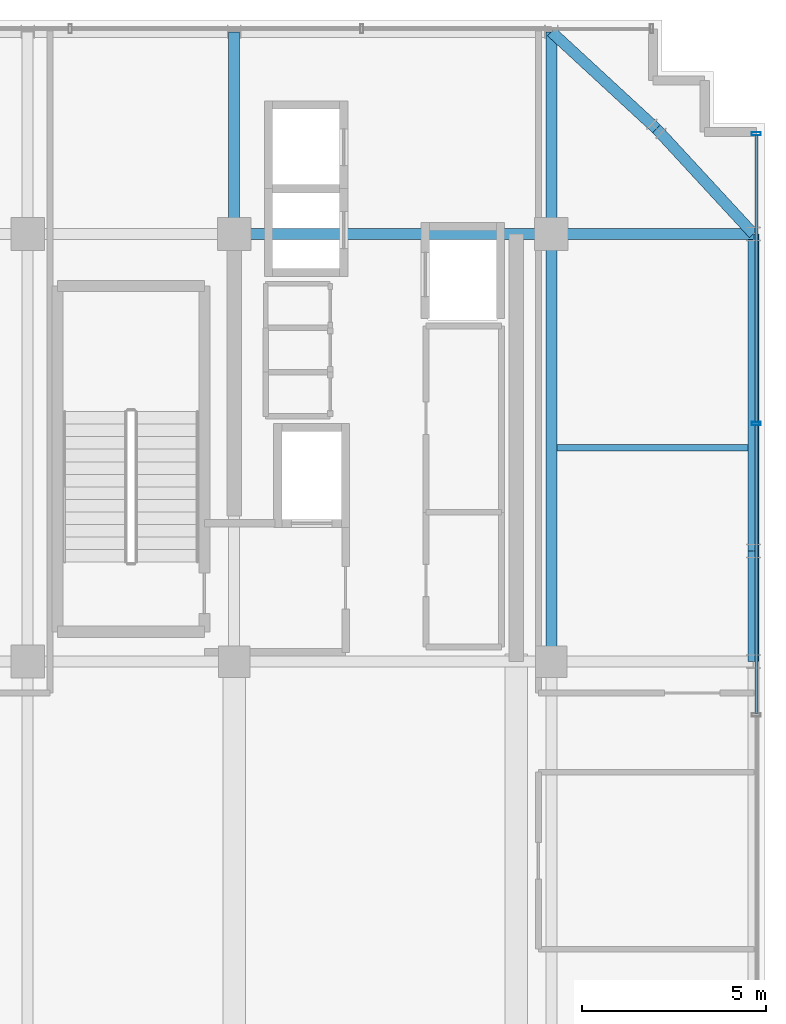
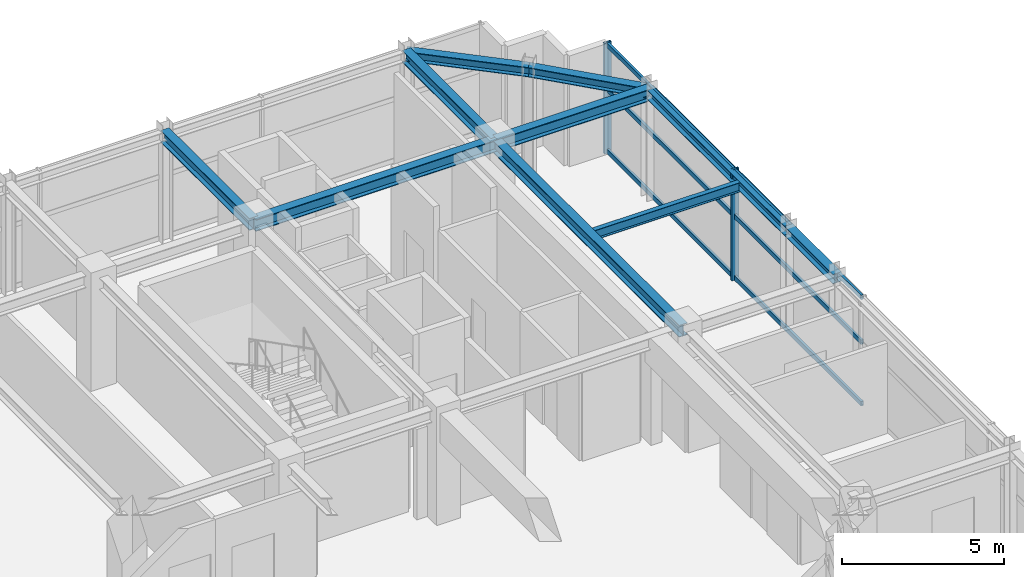
# One storey, part 16 of 25: 10 beams, 8 members, 1 element without a shape of its own.
"""IFC4 building model written with IfcOpenShell, lengths in metres."""

from ifc_helpers import new_model, si_unit, direction, frame, origin, origin_2d, place, context, subcontext, project, spatial, hollow_rectangle, i_section, extrude, source, transform, mapped, material, material_profile, profile_set, type_object, element, aggregate, save


model = new_model("IFC4")

# Units and contexts
model_context = context("Model", 3, precision=1e-05, world=origin(), true_north=direction((0.0, 1.0)))
body_context = subcontext(model_context, "Body", "Model", "MODEL_VIEW")
ifc_project = project(units=[si_unit("LENGTHUNIT", "METRE"), si_unit("AREAUNIT", "SQUARE_METRE"), si_unit("VOLUMEUNIT", "CUBIC_METRE"), si_unit("PLANEANGLEUNIT", "RADIAN"), si_unit("MASSUNIT", "GRAM", prefix="KILO")], contexts=[model_context])

# Site, building, storey
site_placement = place(None, origin())
site = spatial("IfcSite", under=ifc_project, at=site_placement, CompositionType="ELEMENT")
building_placement = place(site_placement, origin())
building = spatial("IfcBuilding", under=site, at=building_placement, Name="Nahalor Promenade Grand Hotel", CompositionType="ELEMENT")
storey_placement = place(building_placement, frame((0.0, 0.0, 338.550048828125)))
storey = spatial("IfcBuildingStorey", under=building, at=storey_placement, Name="L87", CompositionType="ELEMENT", Elevation=338.550048828125)

# Beams
ifc_material_1 = material(Name="Steel S355JR", Category="steel")
ifc_material_profile_1 = material_profile(ifc_material_1, i_section(OverallWidth=0.3, OverallDepth=0.45, WebThickness=0.014, FlangeThickness=0.026, at=origin_2d()), Name="HEB 450")
ifc_profile_set_1 = profile_set([ifc_material_profile_1], Name="Steel S355JR")
beam_type_1 = type_object("IfcBeamType", Name="Beam-Girder-HEB450", PredefinedType="BEAM", material=ifc_profile_set_1)
shared_shape_1 = source(origin(), body_context, "Body", "SweptSolid", [
    extrude(i_section(OverallWidth=0.3, OverallDepth=0.45, WebThickness=0.014, FlangeThickness=0.026, at=origin_2d()), origin(), (0.0, 0.0, 1.0), 8.60009765625),
])
beam_1_placement = place(storey_placement, frame((8.39990234375, 17.0, 3.945068359375), z_axis=(1.0, 0.0, 0.0), x_axis=(0.0, 1.0, 0.0)))
element("IfcBeam", 1, at=beam_1_placement, inside=storey, type_object=beam_type_1, Name="BM-L87-GX-3-5", PredefinedType="BEAM", context=body_context, shape_type="MappedRepresentation", body=[
    mapped(shared_shape_1, transform((0.0, 0.0, 0.0), scale=1.0)),
])
shared_shape_2 = source(origin(), body_context, "Body", "SweptSolid", [
    extrude(i_section(OverallWidth=0.3, OverallDepth=0.45, WebThickness=0.014, FlangeThickness=0.026, at=origin_2d()), origin(), (0.0, 0.0, 1.0), 11.60009765625),
])
beam_2_placement = place(storey_placement, frame((17.0, 5.39990234375, 3.945068359375), z_axis=(0.0, 1.0, 0.0), x_axis=(-1.0, 0.0, 0.0)))
element("IfcBeam", 2, at=beam_2_placement, inside=storey, type_object=beam_type_1, Name="BM-L87-GY-5-3", PredefinedType="BEAM", context=body_context, shape_type="MappedRepresentation", body=[
    mapped(shared_shape_2, transform((0.0, 0.0, 0.0), scale=1.0)),
])
shared_shape_3 = source(origin(), body_context, "Body", "SweptSolid", [
    extrude(i_section(OverallWidth=0.3, OverallDepth=0.45, WebThickness=0.014, FlangeThickness=0.026, at=origin_2d()), origin(), (0.0, 0.0, 1.0), 5.47998046875),
])
for number, where, z_axis, x_axis, name in (
    (3, (17.0, 17.0, 3.945068359375), (1.0, 0.0, 0.0), (0.0, 1.0, 0.0), "BM-L87-GX-3-6"),
    (4, (8.39990234375, 17.0, 3.945068359375), (0.0, 1.0, 0.0), (-1.0, 0.0, 0.0), "BM-L87-GY-4-4"),
    (5, (17.0, 17.0, 3.945068359375), (0.0, 1.0, 0.0), (-1.0, 0.0, 0.0), "BM-L87-GY-5-4"),
):
    element("IfcBeam", number, at=place(storey_placement, frame(where, z_axis=z_axis, x_axis=x_axis)), inside=storey, type_object=beam_type_1, Name=name, PredefinedType="BEAM", context=body_context, shape_type="MappedRepresentation", body=[
        mapped(shared_shape_3, transform((0.0, 0.0, 0.0), scale=1.0)),
    ])
ifc_material_profile_2 = material_profile(ifc_material_1, i_section(OverallWidth=0.3, OverallDepth=0.36, WebThickness=0.0125, FlangeThickness=0.0225, at=origin_2d()), Name="HEB 360")
ifc_profile_set_2 = profile_set([ifc_material_profile_2], Name="Steel S355JR")
beam_type_2 = type_object("IfcBeamType", Name="Beam-Spandrel-HEB360", PredefinedType="SPANDREL", material=ifc_profile_set_2)
shared_shape_4 = source(origin(), body_context, "Body", "SweptSolid", [
    extrude(i_section(OverallWidth=0.3, OverallDepth=0.36, WebThickness=0.0125, FlangeThickness=0.0225, at=origin_2d()), origin(), (0.0, 0.0, 1.0), 8.60009765625),
])
beam_3_placement = place(storey_placement, frame((22.47998046875, 8.39990234375, 3.989990234375), z_axis=(0.0, 1.0, 0.0), x_axis=(-1.0, 0.0, 0.0)))
element("IfcBeam", 6, at=beam_3_placement, inside=storey, type_object=beam_type_2, Name="BM-L87-SP-E-4", PredefinedType="SPANDREL", context=body_context, shape_type="MappedRepresentation", body=[
    mapped(shared_shape_4, transform((0.0, 0.0, 0.0), scale=1.0)),
])
shared_shape_5 = source(origin(), body_context, "Body", "SweptSolid", [
    extrude(i_section(OverallWidth=0.3, OverallDepth=0.36, WebThickness=0.0125, FlangeThickness=0.0225, at=origin_2d()), origin(), (0.0, 0.0, 1.0), 3.0),
])
beam_4_placement = place(storey_placement, frame((22.47998046875, 5.39990234375, 3.989990234375), z_axis=(0.0, 1.0, 0.0), x_axis=(-1.0, 0.0, 0.0)))
element("IfcBeam", 7, at=beam_4_placement, inside=storey, type_object=beam_type_2, Name="BM-L87-SP-E-3", PredefinedType="SPANDREL", context=body_context, shape_type="MappedRepresentation", body=[
    mapped(shared_shape_5, transform((0.0, 0.0, 0.0), scale=1.0)),
])
shared_shape_6 = source(origin(), body_context, "Body", "SweptSolid", [
    extrude(i_section(OverallWidth=0.3, OverallDepth=0.36, WebThickness=0.0125, FlangeThickness=0.0225, at=origin_2d()), origin(), (0.0, 0.0, 1.0), 3.878173828125),
])
for number, where, z_axis, x_axis, name in (
    (8, (17.0, 22.47998046875, 3.989990234375), (0.73492893846, -0.678144125843, 0.0), (0.678144125843, 0.73492893846, 0.0), "BM-L87-SPC-NE-1"),
    (9, (19.85009765625, 19.85009765625, 3.989990234375), (0.678144125843, -0.73492893846, 0.0), (0.73492893846, 0.678144125843, 0.0), "BM-L87-SPC-NE-2"),
):
    element("IfcBeam", number, at=place(storey_placement, frame(where, z_axis=z_axis, x_axis=x_axis)), inside=storey, type_object=beam_type_2, Name=name, PredefinedType="SPANDREL", context=body_context, shape_type="MappedRepresentation", body=[
        mapped(shared_shape_6, transform((0.0, 0.0, 0.0), scale=1.0)),
    ])
ifc_material_profile_3 = material_profile(ifc_material_1, i_section(OverallWidth=0.17, OverallDepth=0.36, WebThickness=0.008, FlangeThickness=0.0127, at=origin_2d()), Name="IPE 360")
ifc_profile_set_3 = profile_set([ifc_material_profile_3], Name="Steel S355JR")
beam_type_3 = type_object("IfcBeamType", Name="Beam-Joist-IPE360", PredefinedType="JOIST", material=ifc_profile_set_3)
shared_shape_7 = source(origin(), body_context, "Body", "SweptSolid", [
    extrude(i_section(OverallWidth=0.17, OverallDepth=0.36, WebThickness=0.008, FlangeThickness=0.0127, at=origin_2d()), origin(), (0.0, 0.0, 1.0), 5.18017578125),
])
beam_5_placement = place(storey_placement, frame((17.14990234375, 11.199951171875, 3.989990234375), z_axis=(1.0, 0.0, 0.0), x_axis=(0.0, 1.0, 0.0)))
element("IfcBeam", 10, at=beam_5_placement, inside=storey, type_object=beam_type_3, Name="BM-L87-JSE-1-2", PredefinedType="JOIST", context=body_context, shape_type="MappedRepresentation", body=[
    mapped(shared_shape_7, transform((0.0, 0.0, 0.0), scale=1.0)),
])

# Curtain wall, members
ifc_material_2 = material(Name="Anodised Bronze Aluminium EN AW-6063 T6", Category="aluminium")
curtain_wall_type = type_object("IfcCurtainWallType", Name="CW5 Sky-Lobby & Observation Panoramic Curtain Wall", PredefinedType="USERDEFINED", material=ifc_material_2)
curtain_wall_placement = place(storey_placement, origin())
curtain_wall = element("IfcCurtainWall", 11, at=curtain_wall_placement, inside=storey, type_object=curtain_wall_type, Name="L87 Curtain Wall CW-L87-E-1", ObjectType="UNITISED_CURTAIN_WALL", PredefinedType="USERDEFINED")
ifc_material_profile_4 = material_profile(ifc_material_2, hollow_rectangle(XDim=0.085, YDim=0.25, WallThickness=0.006, at=origin_2d()), Name="CWM 85x250x6")
ifc_profile_set_4 = profile_set([ifc_material_profile_4], Name="Anodised Bronze Aluminium EN AW-6063 T6")
member_type_1 = type_object("IfcMemberType", Name="CWM5 Panoramic Deep Mullion 85x250", PredefinedType="MULLION", material=ifc_profile_set_4)
shared_shape_8 = source(origin(), body_context, "Body", "SweptSolid", [
    extrude(hollow_rectangle(XDim=0.085, YDim=0.25, WallThickness=0.006, at=origin_2d()), origin(), (0.0, 0.0, 1.0), 4.169921875),
])
member_1_placement = place(storey_placement, frame((22.56005859375, 11.85595703125, 0.0), z_axis=(0.0, 0.0, 1.0), x_axis=(0.0, 1.0, 0.0)))
member_1 = element("IfcMember", 12, at=member_1_placement, type_object=member_type_1, Name="CW-L87-E-1 Mullion 4", PredefinedType="MULLION", context=body_context, shape_type="MappedRepresentation", body=[
    mapped(shared_shape_8, transform((0.0, 0.0, 0.0), scale=1.0)),
])
member_2_placement = place(storey_placement, frame((22.56005859375, 19.717529296875, 0.0), z_axis=(0.0, 0.0, 1.0), x_axis=(0.0, 1.0, 0.0)))
member_2 = element("IfcMember", 13, at=member_2_placement, type_object=member_type_1, Name="CW-L87-E-1 Mullion 5", PredefinedType="MULLION", context=body_context, shape_type="MappedRepresentation", body=[
    mapped(shared_shape_8, transform((0.0, 0.0, 0.0), scale=1.0)),
])
ifc_material_profile_5 = material_profile(ifc_material_2, hollow_rectangle(XDim=0.085, YDim=0.17, WallThickness=0.005, at=origin_2d()), Name="CWT 85x170x5")
ifc_profile_set_5 = profile_set([ifc_material_profile_5], Name="Anodised Bronze Aluminium EN AW-6063 T6")
member_type_2 = type_object("IfcMemberType", Name="CWT5 Panoramic Transom 85x170", PredefinedType="USERDEFINED", material=ifc_profile_set_5)
shared_shape_9 = source(origin(), body_context, "Body", "SweptSolid", [
    extrude(hollow_rectangle(XDim=0.085, YDim=0.17, WallThickness=0.005, at=origin_2d()), origin(), (0.0, 0.0, 1.0), 7.776611328125),
])
member_3_placement = place(storey_placement, frame((22.56005859375, 11.8984375, 0.0849609375), z_axis=(0.0, 1.0, 0.0), x_axis=(-1.0, 0.0, 0.0)))
member_3 = element("IfcMember", 14, at=member_3_placement, type_object=member_type_2, Name="CW-L87-E-1 Transom 4-0", ObjectType="TRANSOM", PredefinedType="USERDEFINED", context=body_context, shape_type="MappedRepresentation", body=[
    mapped(shared_shape_9, transform((0.0, 0.0, 0.0), scale=1.0)),
])
member_4_placement = place(storey_placement, frame((22.56005859375, 11.8984375, 2.39990234375), z_axis=(0.0, 1.0, 0.0), x_axis=(-1.0, 0.0, 0.0)))
member_4 = element("IfcMember", 15, at=member_4_placement, type_object=member_type_2, Name="CW-L87-E-1 Transom 4-1", ObjectType="TRANSOM", PredefinedType="USERDEFINED", context=body_context, shape_type="MappedRepresentation", body=[
    mapped(shared_shape_9, transform((0.0, 0.0, 0.0), scale=1.0)),
])
member_5_placement = place(storey_placement, frame((22.56005859375, 11.8984375, 4.0849609375), z_axis=(0.0, 1.0, 0.0), x_axis=(-1.0, 0.0, 0.0)))
member_5 = element("IfcMember", 16, at=member_5_placement, type_object=member_type_2, Name="CW-L87-E-1 Transom 4-2", ObjectType="TRANSOM", PredefinedType="USERDEFINED", context=body_context, shape_type="MappedRepresentation", body=[
    mapped(shared_shape_9, transform((0.0, 0.0, 0.0), scale=1.0)),
])
shared_shape_10 = source(origin(), body_context, "Body", "SweptSolid", [
    extrude(hollow_rectangle(XDim=0.085, YDim=0.17, WallThickness=0.005, at=origin_2d()), origin(), (0.0, 0.0, 1.0), 7.819091796875),
])
member_6_placement = place(storey_placement, frame((22.56005859375, 3.994384765625, 0.0849609375), z_axis=(0.0, 1.0, 0.0), x_axis=(-1.0, 0.0, 0.0)))
member_6 = element("IfcMember", 17, at=member_6_placement, type_object=member_type_2, Name="CW-L87-E-1 Transom 3-0", ObjectType="TRANSOM", PredefinedType="USERDEFINED", context=body_context, shape_type="MappedRepresentation", body=[
    mapped(shared_shape_10, transform((0.0, 0.0, 0.0), scale=1.0)),
])
member_7_placement = place(storey_placement, frame((22.56005859375, 3.994384765625, 2.39990234375), z_axis=(0.0, 1.0, 0.0), x_axis=(-1.0, 0.0, 0.0)))
member_7 = element("IfcMember", 18, at=member_7_placement, type_object=member_type_2, Name="CW-L87-E-1 Transom 3-1", ObjectType="TRANSOM", PredefinedType="USERDEFINED", context=body_context, shape_type="MappedRepresentation", body=[
    mapped(shared_shape_10, transform((0.0, 0.0, 0.0), scale=1.0)),
])
member_8_placement = place(storey_placement, frame((22.56005859375, 3.994384765625, 4.0849609375), z_axis=(0.0, 1.0, 0.0), x_axis=(-1.0, 0.0, 0.0)))
member_8 = element("IfcMember", 19, at=member_8_placement, type_object=member_type_2, Name="CW-L87-E-1 Transom 3-2", ObjectType="TRANSOM", PredefinedType="USERDEFINED", context=body_context, shape_type="MappedRepresentation", body=[
    mapped(shared_shape_10, transform((0.0, 0.0, 0.0), scale=1.0)),
])
aggregate(curtain_wall, [member_1, member_2, member_6, member_7, member_8, member_3, member_4, member_5])

save(model, "model.ifc")
